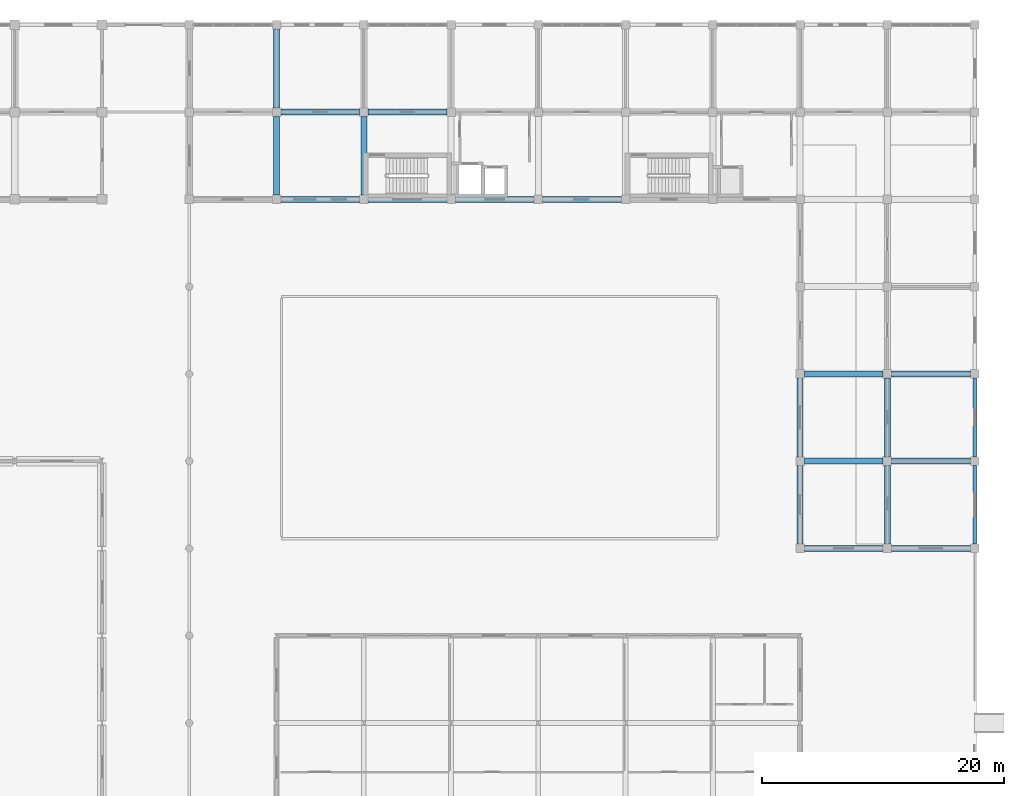
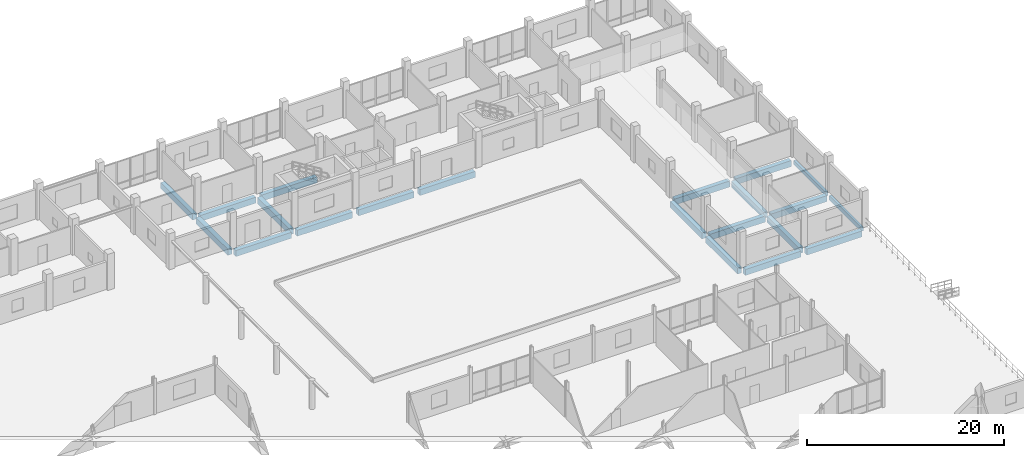
# One storey, part 91 of 139: 21 beams.
"""IFC4 building model written with IfcOpenShell, lengths in metres."""

from ifc_helpers import new_model, si_unit, direction, frame, origin, origin_2d, place, context, subcontext, project, spatial, rectangle, extrude, material, material_profile, profile_set, type_object, element, save


model = new_model("IFC4")

# Units and contexts
model_context = context("Model", 3, precision=1e-05, world=origin(), true_north=direction((0.0, 1.0)))
body_context = subcontext(model_context, "Body", "Model", "MODEL_VIEW")
ifc_project = project(units=[si_unit("LENGTHUNIT", "METRE"), si_unit("AREAUNIT", "SQUARE_METRE"), si_unit("VOLUMEUNIT", "CUBIC_METRE"), si_unit("PLANEANGLEUNIT", "RADIAN"), si_unit("MASSUNIT", "GRAM", prefix="KILO")], contexts=[model_context])

# Site, building, storey
site_placement = place(None, origin())
site = spatial("IfcSite", under=ifc_project, at=site_placement, CompositionType="ELEMENT")
building_placement = place(site_placement, origin())
building = spatial("IfcBuilding", under=site, at=building_placement, Name="Suanplinth Sawtooth Commons", CompositionType="ELEMENT")
storey_placement = place(building_placement, origin())
storey = spatial("IfcBuildingStorey", under=building, at=storey_placement, Name="L00", CompositionType="ELEMENT", Elevation=0.0)

# Beams
ifc_material_1 = material(Name="Concrete C40/50", Category="concrete")
ifc_material_profile_1 = material_profile(ifc_material_1, rectangle(XDim=0.5, YDim=0.75, at=origin_2d()), Name="RC-GDR 500x750")
ifc_profile_set_1 = profile_set([ifc_material_profile_1], Name="Concrete C40/50")
beam_type_1 = type_object("IfcBeamType", Name="B-03", PredefinedType="USERDEFINED", material=ifc_profile_set_1)
for number, where, z_axis, x_axis, name in (
    (1, (129.949951171875, 108.0, -0.794921875), (1.0, 0.0, 0.0), (0.0, 1.0, 0.0), "BMX-L00-B-18-15"),
    (2, (129.949951171875, 115.199951171875, -0.794921875), (1.0, 0.0, 0.0), (0.0, 1.0, 0.0), "BMX-L00-B-18-16"),
    (3, (137.14990234375, 108.0, -0.794921875), (1.0, 0.0, 0.0), (0.0, 1.0, 0.0), "BMX-L00-B-19-15"),
    (4, (137.14990234375, 115.199951171875, -0.794921875), (1.0, 0.0, 0.0), (0.0, 1.0, 0.0), "BMX-L00-B-19-16"),
    (5, (144.35009765625, 108.0, -0.794921875), (1.0, 0.0, 0.0), (0.0, 1.0, 0.0), "BMX-L00-B-20-15"),
    (6, (151.550048828125, 108.0, -0.794921875), (1.0, 0.0, 0.0), (0.0, 1.0, 0.0), "BMX-L00-B-21-15"),
    (7, (173.14990234375, 79.199951171875, -0.794921875), (1.0, 0.0, 0.0), (0.0, 1.0, 0.0), "BMX-L00-B-24-11"),
    (8, (173.14990234375, 86.39990234375, -0.794921875), (1.0, 0.0, 0.0), (0.0, 1.0, 0.0), "BMX-L00-B-24-12"),
    (9, (173.14990234375, 93.60009765625, -0.794921875), (1.0, 0.0, 0.0), (0.0, 1.0, 0.0), "BMX-L00-B-24-13"),
    (10, (180.35009765625, 79.199951171875, -0.794921875), (1.0, 0.0, 0.0), (0.0, 1.0, 0.0), "BMX-L00-B-25-11"),
    (11, (180.35009765625, 86.39990234375, -0.794921875), (1.0, 0.0, 0.0), (0.0, 1.0, 0.0), "BMX-L00-B-25-12"),
    (12, (180.35009765625, 93.60009765625, -0.794921875), (1.0, 0.0, 0.0), (0.0, 1.0, 0.0), "BMX-L00-B-25-13"),
    (13, (129.60009765625, 108.35009765625, -0.794921875), (0.0, 1.0, 0.0), (-1.0, 0.0, 0.0), "BMY-L00-B-18-15"),
    (14, (129.60009765625, 115.550048828125, -0.794921875), (0.0, 1.0, 0.0), (-1.0, 0.0, 0.0), "BMY-L00-B-18-16"),
    (15, (136.800048828125, 108.35009765625, -0.794921875), (0.0, 1.0, 0.0), (-1.0, 0.0, 0.0), "BMY-L00-B-19-15"),
    (16, (172.800048828125, 79.550048828125, -0.794921875), (0.0, 1.0, 0.0), (-1.0, 0.0, 0.0), "BMY-L00-B-24-11"),
    (17, (172.800048828125, 86.75, -0.794921875), (0.0, 1.0, 0.0), (-1.0, 0.0, 0.0), "BMY-L00-B-24-12"),
    (18, (180.0, 79.550048828125, -0.794921875), (0.0, 1.0, 0.0), (-1.0, 0.0, 0.0), "BMY-L00-B-25-11"),
    (19, (180.0, 86.75, -0.794921875), (0.0, 1.0, 0.0), (-1.0, 0.0, 0.0), "BMY-L00-B-25-12"),
):
    element("IfcBeam", number, at=place(storey_placement, frame(where, z_axis=z_axis, x_axis=x_axis)), inside=storey, type_object=beam_type_1, Name=name, ObjectType="GIRDER", PredefinedType="USERDEFINED", context=body_context, shape_type="SweptSolid", body=[
        extrude(rectangle(XDim=0.5, YDim=0.75, at=origin_2d()), origin(), (0.0, 0.0, 1.0), 6.5),
    ])
ifc_material_2 = material(Name="Precast concrete C40/50", Category="concrete")
ifc_material_profile_2 = material_profile(ifc_material_2, rectangle(XDim=0.280029296875, YDim=0.52001953125, at=origin_2d()), Name="PC-SP 280x520")
ifc_profile_set_2 = profile_set([ifc_material_profile_2], Name="Precast concrete C40/50")
beam_type_2 = type_object("IfcBeamType", Name="B-08", PredefinedType="SPANDREL", material=ifc_profile_set_2)
for number, where, z_axis, x_axis, name in (
    (20, (187.199951171875, 79.550048828125, -0.679931640625), (0.0, 1.0, 0.0), (-1.0, 0.0, 0.0), "BMY-L00-B-26-11"),
    (21, (187.199951171875, 86.75, -0.679931640625), (0.0, 1.0, 0.0), (-1.0, 0.0, 0.0), "BMY-L00-B-26-12"),
):
    element("IfcBeam", number, at=place(storey_placement, frame(where, z_axis=z_axis, x_axis=x_axis)), inside=storey, type_object=beam_type_2, Name=name, PredefinedType="SPANDREL", context=body_context, shape_type="SweptSolid", body=[
        extrude(rectangle(XDim=0.280029296875, YDim=0.52001953125, at=origin_2d()), origin(), (0.0, 0.0, 1.0), 6.5),
    ])

save(model, "model.ifc")
